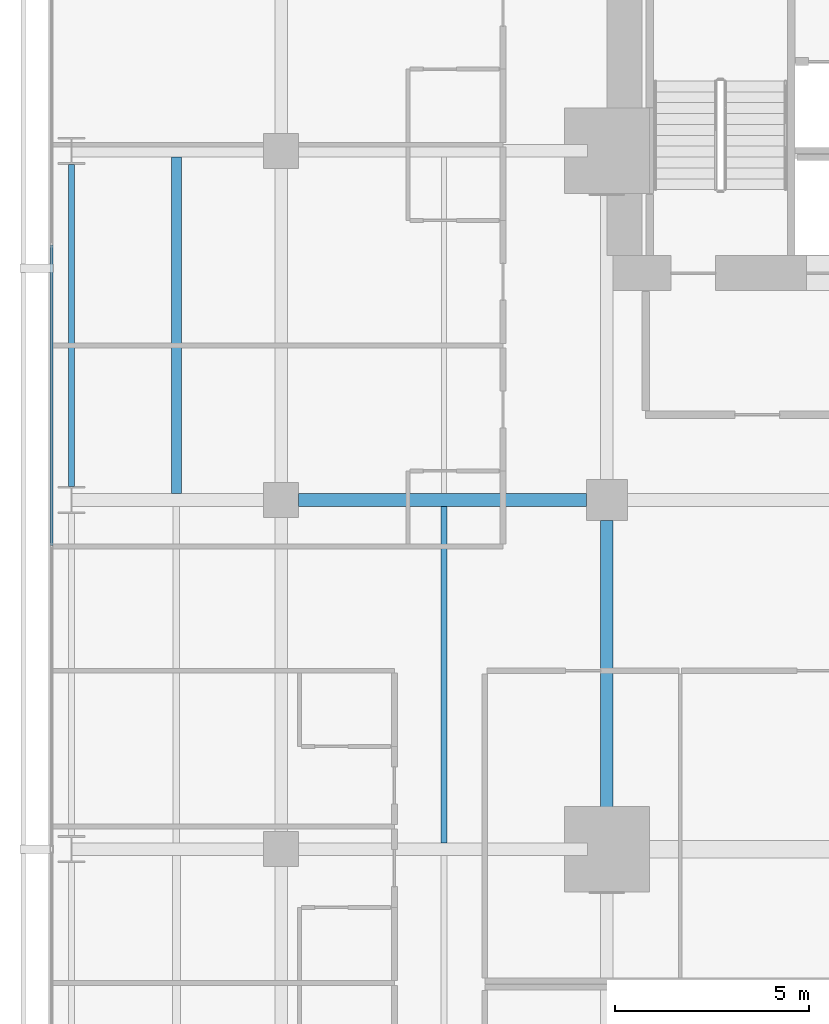
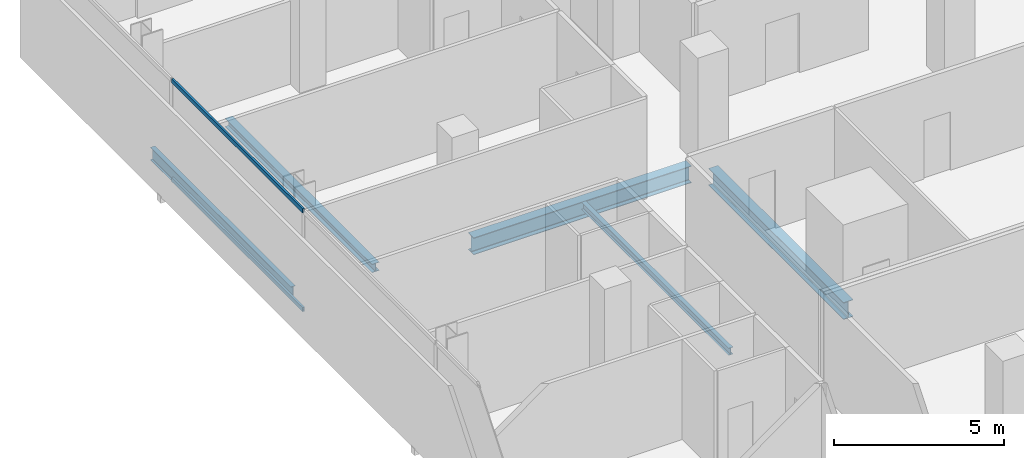
# One storey, part 22 of 40: 5 beams, 2 members, 1 element without a shape of its own.
"""IFC4 building model written with IfcOpenShell, lengths in metres."""

from ifc_helpers import new_model, si_unit, direction, frame, origin, origin_2d, place, context, subcontext, project, spatial, hollow_rectangle, i_section, extrude, material, layer, layer_set, material_profile, profile_set, type_object, element, aggregate, save


model = new_model("IFC4")

# Units and contexts
model_context = context("Model", 3, precision=1e-05, world=origin(), true_north=direction((0.0, 1.0)))
body_context = subcontext(model_context, "Body", "Model", "MODEL_VIEW")
ifc_project = project(units=[si_unit("LENGTHUNIT", "METRE"), si_unit("AREAUNIT", "SQUARE_METRE"), si_unit("VOLUMEUNIT", "CUBIC_METRE"), si_unit("PLANEANGLEUNIT", "RADIAN"), si_unit("MASSUNIT", "GRAM", prefix="KILO")], contexts=[model_context])

# Site, building, storey
site_placement = place(None, origin())
site = spatial("IfcSite", under=ifc_project, at=site_placement, CompositionType="ELEMENT")
building_placement = place(site_placement, origin())
building = spatial("IfcBuilding", under=site, at=building_placement, Name="Maruvema Waterfront Hotel and Observation Tower", CompositionType="ELEMENT")
storey_placement = place(building_placement, frame((0.0, 0.0, 80.85009765625)))
storey = spatial("IfcBuildingStorey", under=building, at=storey_placement, Name="L19", CompositionType="ELEMENT", Elevation=80.85009765625)

# Curtain wall, members
ifc_material_1 = material(Name="Anodised bronze aluminium and solar-control low-E IGU", Category="aluminium")
ifc_layer = layer(ifc_material_1, 0.159912109375, Name="Zone 1 Bronze Inner Thermal Curtain Wall System CW-02")
ifc_layer_set = layer_set([ifc_layer], Name="Anodised bronze aluminium and solar-control low-E IGU")
curtain_wall_type = type_object("IfcCurtainWallType", Name="Zone 1 Bronze Inner Thermal Curtain Wall System CW-02", PredefinedType="USERDEFINED", material=ifc_layer_set)
curtain_wall_placement = place(storey_placement, origin())
curtain_wall = element("IfcCurtainWall", 1, at=curtain_wall_placement, inside=storey, type_object=curtain_wall_type, Name="L19 Curtain Wall CW-L19-W", ObjectType="UNITISED CURTAIN WALL", PredefinedType="USERDEFINED")
ifc_material_2 = material(Name="Anodised architectural bronze aluminium", Category="aluminium")
ifc_material_profile_1 = material_profile(ifc_material_2, hollow_rectangle(XDim=0.070068359375, YDim=0.14990234375, WallThickness=0.00390625, at=origin_2d()), Name="ALU-T70x150")
ifc_profile_set_1 = profile_set([ifc_material_profile_1], Name="Anodised architectural bronze aluminium")
member_type = type_object("IfcMemberType", Name="Curtain Wall Horizontal Transom ALU-T70x150", PredefinedType="USERDEFINED", material=ifc_profile_set_1)
member_1_placement = place(storey_placement, frame((10.8798828125, 42.570068359375, 0.02978515625), z_axis=(0.0, -1.0, 0.0), x_axis=(1.0, 0.0, 0.0)))
member_1 = element("IfcMember", 2, at=member_1_placement, type_object=member_type, Name="CW-02 transom 2.1", ObjectType="TRANSOM", PredefinedType="USERDEFINED", context=body_context, shape_type="SweptSolid", body=[
    extrude(hollow_rectangle(XDim=0.070068359375, YDim=0.14990234375, WallThickness=0.00390625, at=origin_2d()), origin(), (0.0, 0.0, 1.0), 7.739990234375),
])
member_2_placement = place(storey_placement, frame((10.8798828125, 42.570068359375, 3.579833984375), z_axis=(0.0, -1.0, 0.0), x_axis=(1.0, 0.0, 0.0)))
member_2 = element("IfcMember", 3, at=member_2_placement, type_object=member_type, Name="CW-02 transom 2.2", ObjectType="TRANSOM", PredefinedType="USERDEFINED", context=body_context, shape_type="SweptSolid", body=[
    extrude(hollow_rectangle(XDim=0.070068359375, YDim=0.14990234375, WallThickness=0.00390625, at=origin_2d()), origin(), (0.0, 0.0, 1.0), 7.739990234375),
])
aggregate(curtain_wall, [member_1, member_2])

# Beams
ifc_material_3 = material(Name="Steel ASTM A572 Grade 50", Category="steel")
ifc_material_profile_2 = material_profile(ifc_material_3, i_section(OverallWidth=0.153076171875, OverallDepth=0.455078125, WebThickness=0.008056640625, FlangeThickness=0.01318359375, FilletRadius=0.014892578125, at=origin_2d()), Name="W460x60.0")
ifc_profile_set_2 = profile_set([ifc_material_profile_2], Name="Steel ASTM A572 Grade 50")
beam_type_1 = type_object("IfcBeamType", Name="Perimeter Spandrel Beam W460x60.0", PredefinedType="SPANDREL", material=ifc_profile_set_2)
beam_1_placement = place(storey_placement, frame((11.39990234375, 36.35009765625, -0.467529296875), z_axis=(0.0, 1.0, 0.0), x_axis=(-1.0, 0.0, 0.0)))
element("IfcBeam", 4, at=beam_1_placement, inside=storey, type_object=beam_type_1, Name="L19 Floor Girder NS-04", PredefinedType="SPANDREL", context=body_context, shape_type="SweptSolid", body=[
    extrude(i_section(OverallWidth=0.153076171875, OverallDepth=0.455078125, WebThickness=0.008056640625, FlangeThickness=0.01318359375, FilletRadius=0.014892578125, at=origin_2d()), origin(), (0.0, 0.0, 1.0), 8.2998046875),
])
ifc_material_4 = material(Name="Steel ASTM A572 Grade 50", Category="steel")
ifc_material_profile_3 = material_profile(ifc_material_4, i_section(OverallWidth=0.323974609375, OverallDepth=0.611083984375, WebThickness=0.0126953125, FlangeThickness=0.01904296875, FilletRadius=0.01806640625, at=origin_2d()), Name="W610x155.0")
ifc_profile_set_3 = profile_set([ifc_material_profile_3], Name="Steel ASTM A572 Grade 50")
beam_type_2 = type_object("IfcBeamType", Name="Primary Floor Girder W610x155.0", PredefinedType="BEAM", material=ifc_profile_set_3)
beam_2_placement = place(storey_placement, frame((17.25, 36.0, -0.545654296875), z_axis=(1.0, 0.0, 0.0), x_axis=(0.0, 1.0, 0.0)))
element("IfcBeam", 5, at=beam_2_placement, inside=storey, type_object=beam_type_2, Name="L19 Floor Girder EW-26", PredefinedType="BEAM", context=body_context, shape_type="SweptSolid", body=[
    extrude(i_section(OverallWidth=0.323974609375, OverallDepth=0.611083984375, WebThickness=0.0126953125, FlangeThickness=0.01904296875, FilletRadius=0.01806640625, at=origin_2d()), origin(), (0.0, 0.0, 1.0), 7.425048828125),
])
beam_3_placement = place(storey_placement, frame((25.199951171875, 27.5, -0.545654296875), z_axis=(0.0, 1.0, 0.0), x_axis=(-1.0, 0.0, 0.0)))
element("IfcBeam", 6, at=beam_3_placement, inside=storey, type_object=beam_type_2, Name="L19 Floor Girder NS-14", PredefinedType="BEAM", context=body_context, shape_type="SweptSolid", body=[
    extrude(i_section(OverallWidth=0.323974609375, OverallDepth=0.611083984375, WebThickness=0.0126953125, FlangeThickness=0.01904296875, FilletRadius=0.01806640625, at=origin_2d()), origin(), (0.0, 0.0, 1.0), 7.97509765625),
])
ifc_material_5 = material(Name="Steel ASTM A572 Grade 50", Category="steel")
ifc_material_profile_4 = material_profile(ifc_material_5, i_section(OverallWidth=0.14599609375, OverallDepth=0.258056640625, WebThickness=0.006103515625, FlangeThickness=0.009033203125, FilletRadius=0.012939453125, at=origin_2d()), Name="W250x32.7")
ifc_profile_set_4 = profile_set([ifc_material_profile_4], Name="Steel ASTM A572 Grade 50")
beam_type_3 = type_object("IfcBeamType", Name="Secondary Floor Joist W250x32.7", PredefinedType="JOIST", material=ifc_profile_set_4)
beam_4_placement = place(storey_placement, frame((21.0, 27.162109375, -0.369140625), z_axis=(0.0, 1.0, 0.0), x_axis=(-1.0, 0.0, 0.0)))
element("IfcBeam", 7, at=beam_4_placement, inside=storey, type_object=beam_type_3, Name="L19 Secondary Floor Joist JS-08", PredefinedType="JOIST", context=body_context, shape_type="SweptSolid", body=[
    extrude(i_section(OverallWidth=0.14599609375, OverallDepth=0.258056640625, WebThickness=0.006103515625, FlangeThickness=0.009033203125, FilletRadius=0.012939453125, at=origin_2d()), origin(), (0.0, 0.0, 1.0), 8.67578125),
])
ifc_material_6 = material(Name="Steel ASTM A572 Grade 50", Category="steel")
ifc_material_profile_5 = material_profile(ifc_material_6, i_section(OverallWidth=0.25390625, OverallDepth=0.305908203125, WebThickness=0.0087890625, FlangeThickness=0.0146484375, FilletRadius=0.014892578125, at=origin_2d()), Name="W310x79.0")
ifc_profile_set_5 = profile_set([ifc_material_profile_5], Name="Steel ASTM A572 Grade 50")
beam_type_4 = type_object("IfcBeamType", Name="Secondary Floor Joist W310x79.0", PredefinedType="JOIST", material=ifc_profile_set_5)
beam_5_placement = place(storey_placement, frame((14.10009765625, 36.162109375, -0.39306640625), z_axis=(0.0, 1.0, 0.0), x_axis=(-1.0, 0.0, 0.0)))
element("IfcBeam", 8, at=beam_5_placement, inside=storey, type_object=beam_type_4, Name="L19 Secondary Floor Joist JS-04", PredefinedType="JOIST", context=body_context, shape_type="SweptSolid", body=[
    extrude(i_section(OverallWidth=0.25390625, OverallDepth=0.305908203125, WebThickness=0.0087890625, FlangeThickness=0.0146484375, FilletRadius=0.014892578125, at=origin_2d()), origin(), (0.0, 0.0, 1.0), 8.67578125),
])

save(model, "model.ifc")
